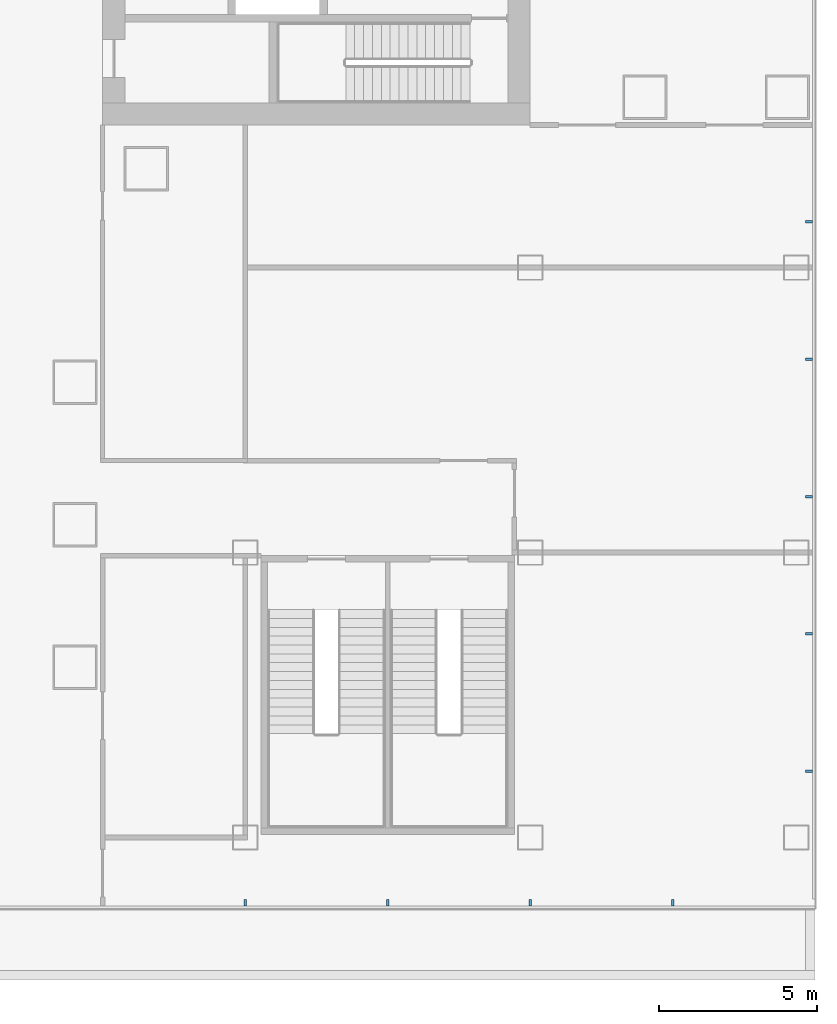
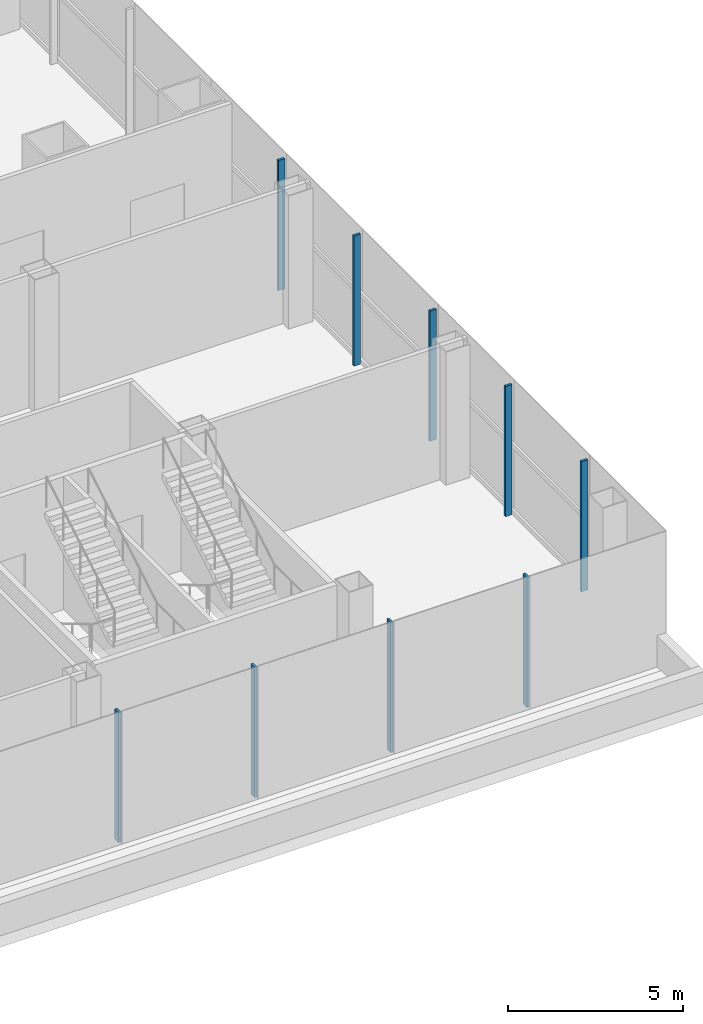
# One storey, part 10 of 30: 9 members, 2 elements without a shape of their own.
"""IFC4 building model written with IfcOpenShell, lengths in metres."""

from ifc_helpers import new_model, si_unit, direction, frame, origin, origin_2d, place, context, subcontext, project, spatial, rectangle, extrude, material, layer, layer_set, material_profile, profile_set, type_object, element, aggregate, save


model = new_model("IFC4")

# Units and contexts
model_context = context("Model", 3, precision=1e-05, world=origin(), true_north=direction((0.0, 1.0)))
body_context = subcontext(model_context, "Body", "Model", "MODEL_VIEW")
ifc_project = project(units=[si_unit("LENGTHUNIT", "METRE"), si_unit("AREAUNIT", "SQUARE_METRE"), si_unit("VOLUMEUNIT", "CUBIC_METRE"), si_unit("PLANEANGLEUNIT", "RADIAN"), si_unit("MASSUNIT", "GRAM", prefix="KILO")], contexts=[model_context])

# Site, building, storey
site_placement = place(None, origin())
site = spatial("IfcSite", under=ifc_project, at=site_placement, CompositionType="ELEMENT")
building_placement = place(site_placement, origin())
building = spatial("IfcBuilding", under=site, at=building_placement, Name="Shamsa Quay Exchange Towers", CompositionType="ELEMENT")
storey_placement = place(building_placement, frame((0.0, 0.0, 23.5)))
storey = spatial("IfcBuildingStorey", under=building, at=storey_placement, Name="L04", CompositionType="ELEMENT", Elevation=23.5)

# Curtain wall, members
ifc_material = material(Name="Aluminium EN AW-6063 T6, black anodised", Category="aluminium")
ifc_layer = layer(ifc_material, 0.33203125)
ifc_layer_set = layer_set([ifc_layer], Name="CW-3 PODIUM SHOPFRONT GLAZING")
curtain_wall_type = type_object("IfcCurtainWallType", Name="CW-3 PODIUM SHOPFRONT GLAZING", PredefinedType="NOTDEFINED", material=ifc_layer_set)
curtain_wall_1_placement = place(storey_placement, origin())
curtain_wall_1 = element("IfcCurtainWall", 1, at=curtain_wall_1_placement, inside=storey, type_object=curtain_wall_type, Name="CW3 PODIUM-L04-F00", PredefinedType="NOTDEFINED")
ifc_material_profile = material_profile(ifc_material, rectangle(XDim=0.219970703125, YDim=0.080078125, at=origin_2d()), Name="MU80x220")
ifc_profile_set = profile_set([ifc_material_profile], Name="Aluminium EN AW-6063 T6, black anodised")
member_type = type_object("IfcMemberType", Name="CW3 MULLION 80x220", PredefinedType="MULLION", material=ifc_profile_set)
member_1_placement = place(storey_placement, frame((62.81005859375, -27.16064453125, 0.0), z_axis=(0.0, 0.0, 1.0), x_axis=(-1.0, 0.0, 0.0)))
member_1 = element("IfcMember", 2, at=member_1_placement, type_object=member_type, Name="CW3 mullion", PredefinedType="MULLION", context=body_context, shape_type="SweptSolid", body=[
    extrude(rectangle(XDim=0.219970703125, YDim=0.080078125, at=origin_2d()), origin(), (0.0, 0.0, 1.0), 4.550048828125),
])
member_2_placement = place(storey_placement, frame((62.81005859375, -22.821533203125, 0.0), z_axis=(0.0, 0.0, 1.0), x_axis=(-1.0, 0.0, 0.0)))
member_2 = element("IfcMember", 3, at=member_2_placement, type_object=member_type, Name="CW3 mullion", PredefinedType="MULLION", context=body_context, shape_type="SweptSolid", body=[
    extrude(rectangle(XDim=0.219970703125, YDim=0.080078125, at=origin_2d()), origin(), (0.0, 0.0, 1.0), 4.550048828125),
])
member_3_placement = place(storey_placement, frame((62.81005859375, -18.482177734375, 0.0), z_axis=(0.0, 0.0, 1.0), x_axis=(-1.0, 0.0, 0.0)))
member_3 = element("IfcMember", 4, at=member_3_placement, type_object=member_type, Name="CW3 mullion", PredefinedType="MULLION", context=body_context, shape_type="SweptSolid", body=[
    extrude(rectangle(XDim=0.219970703125, YDim=0.080078125, at=origin_2d()), origin(), (0.0, 0.0, 1.0), 4.550048828125),
])
member_4_placement = place(storey_placement, frame((62.81005859375, -14.142822265625, 0.0), z_axis=(0.0, 0.0, 1.0), x_axis=(-1.0, 0.0, 0.0)))
member_4 = element("IfcMember", 5, at=member_4_placement, type_object=member_type, Name="CW3 mullion", PredefinedType="MULLION", context=body_context, shape_type="SweptSolid", body=[
    extrude(rectangle(XDim=0.219970703125, YDim=0.080078125, at=origin_2d()), origin(), (0.0, 0.0, 1.0), 4.550048828125),
])
member_5_placement = place(storey_placement, frame((62.81005859375, -9.803466796875, 0.0), z_axis=(0.0, 0.0, 1.0), x_axis=(-1.0, 0.0, 0.0)))
member_5 = element("IfcMember", 6, at=member_5_placement, type_object=member_type, Name="CW3 mullion", PredefinedType="MULLION", context=body_context, shape_type="SweptSolid", body=[
    extrude(rectangle(XDim=0.219970703125, YDim=0.080078125, at=origin_2d()), origin(), (0.0, 0.0, 1.0), 4.550048828125),
])
aggregate(curtain_wall_1, [member_1, member_2, member_3, member_4, member_5])

curtain_wall_2_placement = place(storey_placement, origin())
curtain_wall_2 = element("IfcCurtainWall", 7, at=curtain_wall_2_placement, inside=storey, type_object=curtain_wall_type, Name="CW3 PODIUM-L04-F03", PredefinedType="NOTDEFINED")
member_6_placement = place(storey_placement, frame((45.0, -31.31005859375, 0.0), z_axis=(0.0, 0.0, 1.0), x_axis=(0.0, 1.0, 0.0)))
member_6 = element("IfcMember", 8, at=member_6_placement, type_object=member_type, Name="CW3 mullion", PredefinedType="MULLION", context=body_context, shape_type="SweptSolid", body=[
    extrude(rectangle(XDim=0.219970703125, YDim=0.080078125, at=origin_2d()), origin(), (0.0, 0.0, 1.0), 4.550048828125),
])
member_7_placement = place(storey_placement, frame((49.5, -31.31005859375, 0.0), z_axis=(0.0, 0.0, 1.0), x_axis=(0.0, 1.0, 0.0)))
member_7 = element("IfcMember", 9, at=member_7_placement, type_object=member_type, Name="CW3 mullion", PredefinedType="MULLION", context=body_context, shape_type="SweptSolid", body=[
    extrude(rectangle(XDim=0.219970703125, YDim=0.080078125, at=origin_2d()), origin(), (0.0, 0.0, 1.0), 4.550048828125),
])
member_8_placement = place(storey_placement, frame((54.0, -31.31005859375, 0.0), z_axis=(0.0, 0.0, 1.0), x_axis=(0.0, 1.0, 0.0)))
member_8 = element("IfcMember", 10, at=member_8_placement, type_object=member_type, Name="CW3 mullion", PredefinedType="MULLION", context=body_context, shape_type="SweptSolid", body=[
    extrude(rectangle(XDim=0.219970703125, YDim=0.080078125, at=origin_2d()), origin(), (0.0, 0.0, 1.0), 4.550048828125),
])
member_9_placement = place(storey_placement, frame((58.5, -31.31005859375, 0.0), z_axis=(0.0, 0.0, 1.0), x_axis=(0.0, 1.0, 0.0)))
member_9 = element("IfcMember", 11, at=member_9_placement, type_object=member_type, Name="CW3 mullion", PredefinedType="MULLION", context=body_context, shape_type="SweptSolid", body=[
    extrude(rectangle(XDim=0.219970703125, YDim=0.080078125, at=origin_2d()), origin(), (0.0, 0.0, 1.0), 4.550048828125),
])
aggregate(curtain_wall_2, [member_6, member_7, member_8, member_9])

save(model, "model.ifc")
